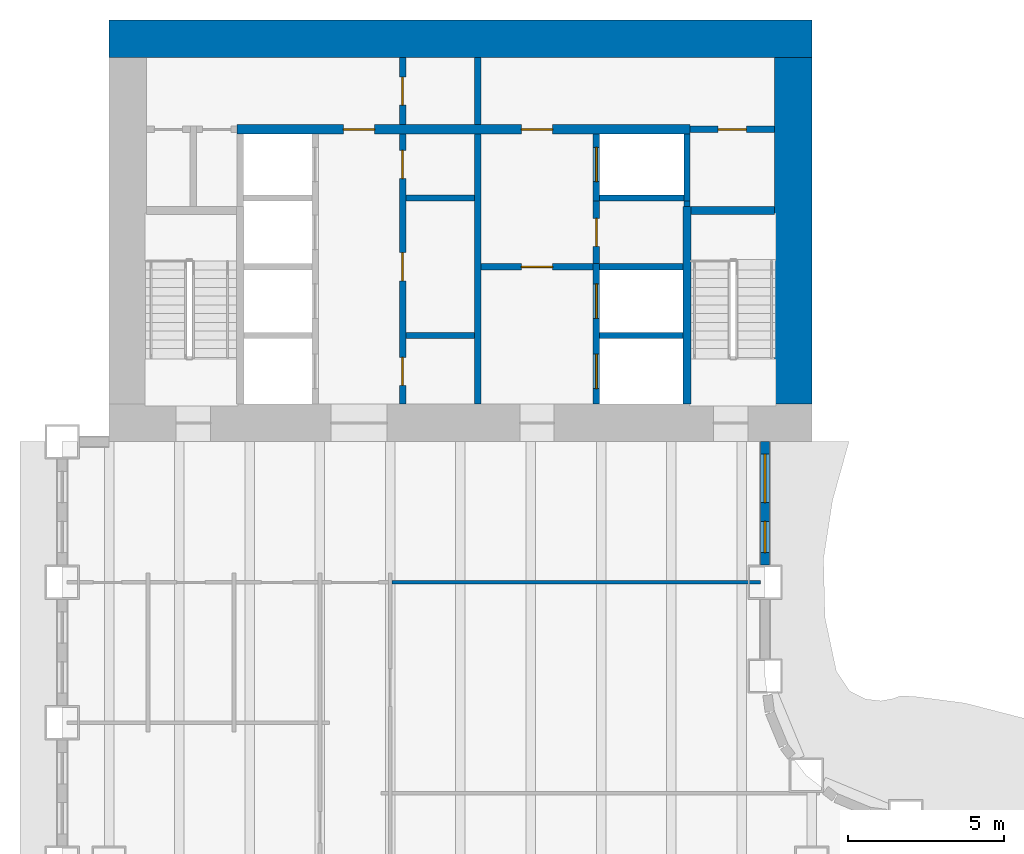
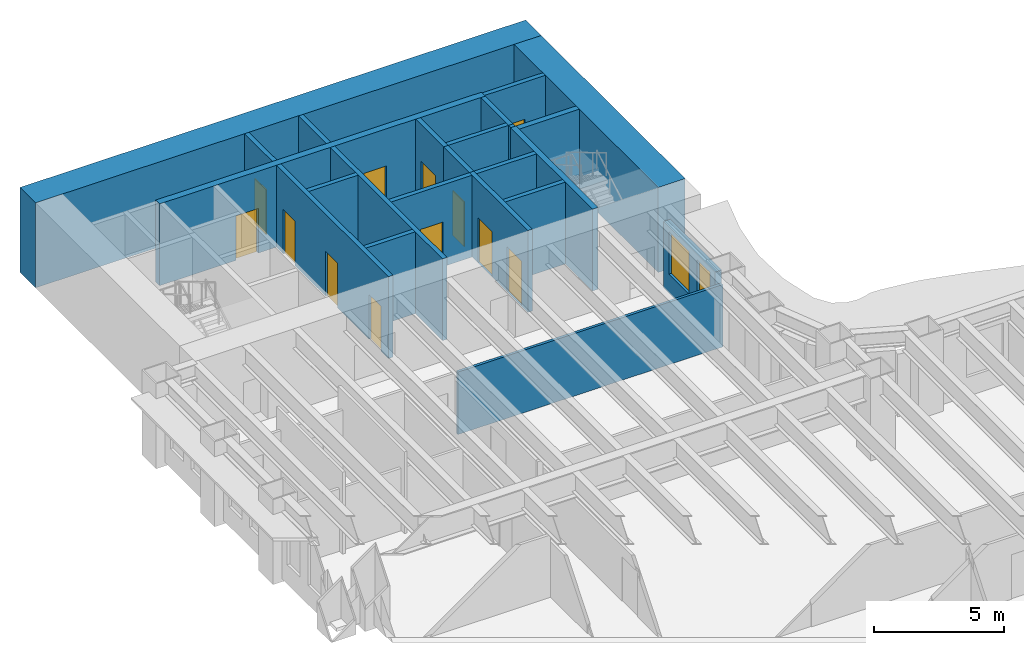
# One storey, part 8 of 16: 23 walls, 12 doors, 2 windows, 14 openings.
"""IFC4 building model written with IfcOpenShell, lengths in metres."""

from ifc_helpers import new_model, si_unit, direction, frame, frame_2d, origin, place, context, subcontext, project, spatial, rectangle, extrude, material, layer, layer_set, type_object, element, fill, save


model = new_model("IFC4")

# Units and contexts
model_context = context("Model", 3, precision=1e-05, world=origin(), true_north=direction((0.0, 1.0)))
body_context = subcontext(model_context, "Body", "Model", "MODEL_VIEW")
ifc_project = project(units=[si_unit("LENGTHUNIT", "METRE"), si_unit("AREAUNIT", "SQUARE_METRE"), si_unit("VOLUMEUNIT", "CUBIC_METRE"), si_unit("PLANEANGLEUNIT", "RADIAN"), si_unit("MASSUNIT", "GRAM", prefix="KILO")], contexts=[model_context])

# Site, building, storey
site_placement = place(None, origin())
site = spatial("IfcSite", under=ifc_project, at=site_placement, CompositionType="ELEMENT")
building_placement = place(site_placement, origin())
building = spatial("IfcBuilding", under=site, at=building_placement, Name="Sennacour Bend Tower", CompositionType="ELEMENT")
storey_placement = place(building_placement, frame((0.0, 0.0, 45.0)))
storey = spatial("IfcBuildingStorey", under=building, at=storey_placement, Name="L09", CompositionType="ELEMENT", Elevation=45.0)

# Walls
ifc_material_1 = material(Name="Concrete C80/95", Category="concrete")
ifc_layer_1 = layer(ifc_material_1, 1.199951171875, Name="Concrete C80/95", Category="concrete")
ifc_layer_set_1 = layer_set([ifc_layer_1], Name="Concrete C80/95")
wall_type_1 = type_object("IfcWallType", Name="Core wall 1200 C80/95", PredefinedType="SHEAR", material=ifc_layer_set_1)
wall_1_placement = place(storey_placement, frame((0.0, 48.89990234375, -0.14990234375), z_axis=(0.0, 0.0, 1.0), x_axis=(1.0, 0.0, 0.0)))
element("IfcWall", 1, at=wall_1_placement, inside=storey, type_object=wall_type_1, Name="Core B wall L09 N", PredefinedType="SHEAR", context=body_context, shape_type="SweptSolid", body=[
    extrude(rectangle(XDim=22.5, YDim=1.199951171875, at=frame_2d((11.25, 0.0))), origin(), (0.0, 0.0, 1.0), 4.0),
])
wall_2_placement = place(storey_placement, frame((21.89990234375, 37.199951171875, -0.14990234375), z_axis=(0.0, 0.0, 1.0), x_axis=(0.0, 1.0, 0.0)))
element("IfcWall", 2, at=wall_2_placement, inside=storey, type_object=wall_type_1, Name="Core B wall L09 E", PredefinedType="SHEAR", context=body_context, shape_type="SweptSolid", body=[
    extrude(rectangle(XDim=11.10009765625, YDim=1.199951171875, at=frame_2d((5.550048828125, 0.0))), origin(), (0.0, 0.0, 1.0), 4.0),
])
ifc_material_2 = material(Name="Plasterboard partition on steel studs", Category="steel")
ifc_layer_2 = layer(ifc_material_2, 0.1201171875, Name="Plasterboard partition on steel studs", Category="steel")
ifc_layer_set_2 = layer_set([ifc_layer_2], Name="Plasterboard partition on steel studs")
wall_type_2 = type_object("IfcWallType", Name="Partition 120", PredefinedType="PARTITIONING", material=ifc_layer_set_2)
wall_3_placement = place(storey_placement, frame((9.06005859375, 31.5, 0.0), z_axis=(0.0, 0.0, 1.0), x_axis=(1.0, 0.0, 0.0)))
element("IfcWall", 3, at=wall_3_placement, inside=storey, type_object=wall_type_2, Name="P-L09-W075ae", PredefinedType="PARTITIONING", context=body_context, shape_type="SweptSolid", body=[
    extrude(rectangle(XDim=11.7900390625, YDim=0.1201171875, at=frame_2d((5.89501953125, 0.0))), origin(), (0.0, 0.0, 1.0), 2.93798828125),
])

# Wall, openings, doors
ifc_material_3 = material(Name="Fire-rated plasterboard partition on steel studs", Category="steel")
ifc_layer_3 = layer(ifc_material_3, 0.199951171875, Name="Fire-rated plasterboard partition on steel studs", Category="steel")
ifc_layer_set_3 = layer_set([ifc_layer_3], Name="Fire-rated plasterboard partition on steel studs")
wall_type_3 = type_object("IfcWallType", Name="Rated partition 200", PredefinedType="PARTITIONING", material=ifc_layer_set_3)
wall_4_placement = place(storey_placement, frame((9.39990234375, 37.199951171875, 0.0), z_axis=(0.0, 0.0, 1.0), x_axis=(0.0, 1.0, 0.0)))
wall_4 = element("IfcWall", 4, at=wall_4_placement, inside=storey, type_object=wall_type_3, Name="P-L09-W013a", PredefinedType="PARTITIONING", context=body_context, shape_type="SweptSolid", body=[
    extrude(rectangle(XDim=8.650146484375, YDim=0.199951171875, at=frame_2d((4.3251953125, 0.0))), origin(), (0.0, 0.0, 1.0), 3.85009765625),
])
opening_1_placement = place(wall_4_placement, frame((0.60009765625, 0.0, 0.0)))
opening_1 = element("IfcOpeningElement", 5, at=opening_1_placement, cuts=wall_4, Name="Opening SV", PredefinedType="OPENING", context=body_context, shape_type="SweptSolid", body=[
    extrude(rectangle(XDim=0.89990234375, YDim=2.10009765625, at=frame_2d((0.449951171875, 1.050048828125))), frame((0.0, 0.10986328125, 0.0), z_axis=(0.0, -1.0, 0.0), x_axis=(1.0, 0.0, 0.0)), (0.0, 0.0, 1.0), 0.219970703125),
])
opening_2_placement = place(wall_4_placement, frame((3.949951171875, 0.0, 0.0)))
opening_2 = element("IfcOpeningElement", 6, at=opening_2_placement, cuts=wall_4, Name="Opening WD", PredefinedType="OPENING", context=body_context, shape_type="SweptSolid", body=[
    extrude(rectangle(XDim=0.89990234375, YDim=2.10009765625, at=frame_2d((0.449951171875, 1.050048828125))), frame((0.0, 0.10986328125, 0.0), z_axis=(0.0, -1.0, 0.0), x_axis=(1.0, 0.0, 0.0)), (0.0, 0.0, 1.0), 0.219970703125),
])
opening_3_placement = place(wall_4_placement, frame((7.22509765625, 0.0, 0.0)))
opening_3 = element("IfcOpeningElement", 7, at=opening_3_placement, cuts=wall_4, Name="Opening SV", PredefinedType="OPENING", context=body_context, shape_type="SweptSolid", body=[
    extrude(rectangle(XDim=0.89990234375, YDim=2.10009765625, at=frame_2d((0.449951171875, 1.050048828125))), frame((0.0, 0.10986328125, 0.0), z_axis=(0.0, -1.0, 0.0), x_axis=(1.0, 0.0, 0.0)), (0.0, 0.0, 1.0), 0.219970703125),
])
ifc_material_4 = material(Name="Painted steel", Category="steel")
door_type_1 = type_object("IfcDoorType", Name="DR-SERVICE-900", OperationType="NOTDEFINED", PredefinedType="DOOR", material=ifc_material_4)
door_1_placement = place(opening_1_placement, origin())
door_1 = element("IfcDoor", 8, at=door_1_placement, inside=storey, type_object=door_type_1, Name="Door", OperationType="SINGLE_SWING_LEFT", OverallHeight=2.10009765625, OverallWidth=0.89990234375, PredefinedType="DOOR", context=body_context, shape_type="SweptSolid", body=[
    extrude(rectangle(XDim=0.89990234375, YDim=2.10009765625, at=frame_2d((0.449951171875, 1.050048828125))), frame((0.0, 0.02490234375, 0.0), z_axis=(0.0, -1.0, 0.0), x_axis=(1.0, 0.0, 0.0)), (0.0, 0.0, 1.0), 0.050048828125),
])
fill(opening_1, door_1)
door_2_placement = place(opening_3_placement, origin())
door_2 = element("IfcDoor", 9, at=door_2_placement, inside=storey, type_object=door_type_1, Name="Door", OperationType="SINGLE_SWING_RIGHT", OverallHeight=2.10009765625, OverallWidth=0.89990234375, PredefinedType="DOOR", context=body_context, shape_type="SweptSolid", body=[
    extrude(rectangle(XDim=0.89990234375, YDim=2.10009765625, at=frame_2d((0.449951171875, 1.050048828125))), frame((0.0, 0.02490234375, 0.0), z_axis=(0.0, -1.0, 0.0), x_axis=(1.0, 0.0, 0.0)), (0.0, 0.0, 1.0), 0.050048828125),
])
fill(opening_3, door_2)
ifc_material_5 = material(Name="Timber", Category="wood")
door_type_2 = type_object("IfcDoorType", Name="DR-WC-900", OperationType="NOTDEFINED", PredefinedType="DOOR", material=ifc_material_5)
door_3_placement = place(opening_2_placement, origin())
door_3 = element("IfcDoor", 10, at=door_3_placement, inside=storey, type_object=door_type_2, Name="Door", OperationType="SINGLE_SWING_RIGHT", OverallHeight=2.10009765625, OverallWidth=0.89990234375, PredefinedType="DOOR", context=body_context, shape_type="SweptSolid", body=[
    extrude(rectangle(XDim=0.89990234375, YDim=2.10009765625, at=frame_2d((0.449951171875, 1.050048828125))), frame((0.0, 0.02490234375, 0.0), z_axis=(0.0, -1.0, 0.0), x_axis=(1.0, 0.0, 0.0)), (0.0, 0.0, 1.0), 0.050048828125),
])
fill(opening_2, door_3)

# Wall, opening, door
wall_5_placement = place(storey_placement, frame((9.39990234375, 46.14990234375, 0.0), z_axis=(0.0, 0.0, 1.0), x_axis=(0.0, 1.0, 0.0)))
wall_5 = element("IfcWall", 11, at=wall_5_placement, inside=storey, type_object=wall_type_3, Name="P-L09-W013b", PredefinedType="PARTITIONING", context=body_context, shape_type="SweptSolid", body=[
    extrude(rectangle(XDim=2.150146484375, YDim=0.199951171875, at=frame_2d((1.0751953125, 0.0))), origin(), (0.0, 0.0, 1.0), 3.85009765625),
])
opening_4_placement = place(wall_5_placement, frame((0.625, 0.0, 0.0)))
opening_4 = element("IfcOpeningElement", 12, at=opening_4_placement, cuts=wall_5, Name="Opening SV", PredefinedType="OPENING", context=body_context, shape_type="SweptSolid", body=[
    extrude(rectangle(XDim=0.89990234375, YDim=2.10009765625, at=frame_2d((0.449951171875, 1.050048828125))), frame((0.0, 0.10986328125, 0.0), z_axis=(0.0, -1.0, 0.0), x_axis=(1.0, 0.0, 0.0)), (0.0, 0.0, 1.0), 0.219970703125),
])
door_4_placement = place(opening_4_placement, origin())
door_4 = element("IfcDoor", 13, at=door_4_placement, inside=storey, type_object=door_type_1, Name="Door", OperationType="SINGLE_SWING_LEFT", OverallHeight=2.10009765625, OverallWidth=0.89990234375, PredefinedType="DOOR", context=body_context, shape_type="SweptSolid", body=[
    extrude(rectangle(XDim=0.89990234375, YDim=2.10009765625, at=frame_2d((0.449951171875, 1.050048828125))), frame((0.0, 0.02490234375, 0.0), z_axis=(0.0, -1.0, 0.0), x_axis=(1.0, 0.0, 0.0)), (0.0, 0.0, 1.0), 0.050048828125),
])
fill(opening_4, door_4)

# Walls
wall_6_placement = place(storey_placement, frame((11.800048828125, 37.199951171875, 0.0), z_axis=(0.0, 0.0, 1.0), x_axis=(0.0, 1.0, 0.0)))
element("IfcWall", 14, at=wall_6_placement, inside=storey, type_object=wall_type_3, Name="P-L09-W015a", PredefinedType="PARTITIONING", context=body_context, shape_type="SweptSolid", body=[
    extrude(rectangle(XDim=8.650146484375, YDim=0.199951171875, at=frame_2d((4.3251953125, 0.0))), origin(), (0.0, 0.0, 1.0), 3.85009765625),
])
wall_7_placement = place(storey_placement, frame((11.800048828125, 46.14990234375, 0.0), z_axis=(0.0, 0.0, 1.0), x_axis=(0.0, 1.0, 0.0)))
element("IfcWall", 15, at=wall_7_placement, inside=storey, type_object=wall_type_3, Name="P-L09-W015b", PredefinedType="PARTITIONING", context=body_context, shape_type="SweptSolid", body=[
    extrude(rectangle(XDim=2.150146484375, YDim=0.199951171875, at=frame_2d((1.0751953125, 0.0))), origin(), (0.0, 0.0, 1.0), 3.85009765625),
])

# Wall, opening, door
wall_8_placement = place(storey_placement, frame((15.60009765625, 41.699951171875, 0.0), z_axis=(0.0, 0.0, 1.0), x_axis=(0.0, 1.0, 0.0)))
wall_8 = element("IfcWall", 16, at=wall_8_placement, inside=storey, type_object=wall_type_3, Name="P-L09-W017", PredefinedType="PARTITIONING", context=body_context, shape_type="SweptSolid", body=[
    extrude(rectangle(XDim=2.0, YDim=0.199951171875, at=frame_2d((1.0, 0.0))), origin(), (0.0, 0.0, 1.0), 3.85009765625),
])
opening_5_placement = place(wall_8_placement, frame((0.550048828125, 0.0, 0.0)))
opening_5 = element("IfcOpeningElement", 17, at=opening_5_placement, cuts=wall_8, Name="Opening SV", PredefinedType="OPENING", context=body_context, shape_type="SweptSolid", body=[
    extrude(rectangle(XDim=0.89990234375, YDim=2.10009765625, at=frame_2d((0.449951171875, 1.050048828125))), frame((0.0, 0.10986328125, 0.0), z_axis=(0.0, -1.0, 0.0), x_axis=(1.0, 0.0, 0.0)), (0.0, 0.0, 1.0), 0.219970703125),
])
door_5_placement = place(opening_5_placement, origin())
door_5 = element("IfcDoor", 18, at=door_5_placement, inside=storey, type_object=door_type_1, Name="Door", OperationType="SINGLE_SWING_RIGHT", OverallHeight=2.10009765625, OverallWidth=0.89990234375, PredefinedType="DOOR", context=body_context, shape_type="SweptSolid", body=[
    extrude(rectangle(XDim=0.89990234375, YDim=2.10009765625, at=frame_2d((0.449951171875, 1.050048828125))), frame((0.0, 0.02490234375, 0.0), z_axis=(0.0, -1.0, 0.0), x_axis=(1.0, 0.0, 0.0)), (0.0, 0.0, 1.0), 0.050048828125),
])
fill(opening_5, door_5)

# Walls
wall_9_placement = place(storey_placement, frame((18.5, 43.52490234375, 0.0), z_axis=(0.0, 0.0, 1.0), x_axis=(0.0, 1.0, 0.0)))
element("IfcWall", 19, at=wall_9_placement, inside=storey, type_object=wall_type_3, Name="P-L09-W021", PredefinedType="PARTITIONING", context=body_context, shape_type="SweptSolid", body=[
    extrude(rectangle(XDim=0.175048828125, YDim=0.199951171875, at=frame_2d((0.08740234375, 0.0))), origin(), (0.0, 0.0, 1.0), 3.85009765625),
])
for number, where, z_axis, x_axis, name in (
    (20, (9.5, 39.39990234375, 0.0), (0.0, 0.0, 1.0), (1.0, 0.0, 0.0), "P-L09-W078"),
    (21, (9.5, 43.800048828125, 0.0), (0.0, 0.0, 1.0), (1.0, 0.0, 0.0), "P-L09-W086"),
):
    element("IfcWall", number, at=place(storey_placement, frame(where, z_axis=z_axis, x_axis=x_axis)), inside=storey, type_object=wall_type_3, Name=name, PredefinedType="PARTITIONING", context=body_context, shape_type="SweptSolid", body=[
        extrude(rectangle(XDim=2.199951171875, YDim=0.199951171875, at=frame_2d((1.10009765625, 0.0))), origin(), (0.0, 0.0, 1.0), 3.85009765625),
    ])

# Wall, opening, door
wall_10_placement = place(storey_placement, frame((18.60009765625, 46.0, 0.0), z_axis=(0.0, 0.0, 1.0), x_axis=(1.0, 0.0, 0.0)))
wall_10 = element("IfcWall", 22, at=wall_10_placement, inside=storey, type_object=wall_type_3, Name="P-L09-W090", PredefinedType="PARTITIONING", context=body_context, shape_type="SweptSolid", body=[
    extrude(rectangle(XDim=2.699951171875, YDim=0.199951171875, at=frame_2d((1.35009765625, 0.0))), origin(), (0.0, 0.0, 1.0), 3.85009765625),
])
opening_6_placement = place(wall_10_placement, frame((0.89990234375, 0.0, 0.0)))
opening_6 = element("IfcOpeningElement", 23, at=opening_6_placement, cuts=wall_10, Name="Opening WD", PredefinedType="OPENING", context=body_context, shape_type="SweptSolid", body=[
    extrude(rectangle(XDim=0.89990234375, YDim=2.10009765625, at=frame_2d((0.449951171875, 1.050048828125))), frame((0.0, 0.10986328125, 0.0), z_axis=(0.0, -1.0, 0.0), x_axis=(1.0, 0.0, 0.0)), (0.0, 0.0, 1.0), 0.219970703125),
])
door_6_placement = place(opening_6_placement, origin())
door_6 = element("IfcDoor", 24, at=door_6_placement, inside=storey, type_object=door_type_2, Name="Door", OperationType="SINGLE_SWING_LEFT", OverallHeight=2.10009765625, OverallWidth=0.89990234375, PredefinedType="DOOR", context=body_context, shape_type="SweptSolid", body=[
    extrude(rectangle(XDim=0.89990234375, YDim=2.10009765625, at=frame_2d((0.449951171875, 1.050048828125))), frame((0.0, 0.02490234375, 0.0), z_axis=(0.0, -1.0, 0.0), x_axis=(1.0, 0.0, 0.0)), (0.0, 0.0, 1.0), 0.050048828125),
])
fill(opening_6, door_6)

ifc_layer_4 = layer(ifc_material_3, 0.199951171875, Name="Fire-rated plasterboard partition on steel studs", Category="steel")
ifc_layer_set_4 = layer_set([ifc_layer_4], Name="Fire-rated plasterboard partition on steel studs")
wall_type_4 = type_object("IfcWallType", Name="Rated partition 200 EI 90", PredefinedType="PARTITIONING", material=ifc_layer_set_4)
wall_11_placement = place(storey_placement, frame((11.89990234375, 41.60009765625, 0.0), z_axis=(0.0, 0.0, 1.0), x_axis=(1.0, 0.0, 0.0)))
wall_11 = element("IfcWall", 25, at=wall_11_placement, inside=storey, type_object=wall_type_4, Name="P-L09-W081", PredefinedType="PARTITIONING", context=body_context, shape_type="SweptSolid", body=[
    extrude(rectangle(XDim=3.60009765625, YDim=0.199951171875, at=frame_2d((1.800048828125, 0.0))), origin(), (0.0, 0.0, 1.0), 3.85009765625),
])
opening_7_placement = place(wall_11_placement, frame((1.300048828125, 0.0, 0.0)))
opening_7 = element("IfcOpeningElement", 26, at=opening_7_placement, cuts=wall_11, Name="Opening FD2", PredefinedType="OPENING", context=body_context, shape_type="SweptSolid", body=[
    extrude(rectangle(XDim=1.0, YDim=2.10009765625, at=frame_2d((0.5, 1.050048828125))), frame((0.0, 0.10986328125, 0.0), z_axis=(0.0, -1.0, 0.0), x_axis=(1.0, 0.0, 0.0)), (0.0, 0.0, 1.0), 0.219970703125),
])
door_type_3 = type_object("IfcDoorType", Name="DR-FFL-1000", OperationType="NOTDEFINED", PredefinedType="DOOR", material=ifc_material_4)
door_7_placement = place(opening_7_placement, origin())
door_7 = element("IfcDoor", 27, at=door_7_placement, inside=storey, type_object=door_type_3, Name="Door", OperationType="SINGLE_SWING_LEFT", OverallHeight=2.10009765625, OverallWidth=1.0, PredefinedType="DOOR", context=body_context, shape_type="SweptSolid", body=[
    extrude(rectangle(XDim=1.0, YDim=2.10009765625, at=frame_2d((0.5, 1.050048828125))), frame((0.0, 0.02490234375, 0.0), z_axis=(0.0, -1.0, 0.0), x_axis=(1.0, 0.0, 0.0)), (0.0, 0.0, 1.0), 0.050048828125),
])
fill(opening_7, door_7)

# Wall, openings, windows
ifc_material_6 = material(Name="Warm limestone cladding", Category="masonry")
ifc_layer_5 = layer(ifc_material_6, 0.050048828125, Name="Warm limestone cladding", Category="masonry")
ifc_material_7 = material(Name="Precast concrete C40/50", Category="concrete")
ifc_layer_6 = layer(ifc_material_7, 0.25, Name="Precast concrete C40/50", Category="concrete")
ifc_layer_set_5 = layer_set([ifc_layer_5, ifc_layer_6], Name="Precast concrete C40/50 with limestone cladding")
wall_type_5 = type_object("IfcWallType", Name="STONE-CLAD PRECAST SPANDREL 300", PredefinedType="STANDARD", material=ifc_layer_set_5)
wall_12_placement = place(storey_placement, frame((21.0, 32.050048828125, 0.0), z_axis=(0.0, 0.0, 1.0), x_axis=(0.0, 1.0, 0.0)))
wall_12 = element("IfcWall", 28, at=wall_12_placement, inside=storey, type_object=wall_type_5, Name="Stone spandrel and pier wall L09 15.01", PredefinedType="STANDARD", context=body_context, shape_type="SweptSolid", body=[
    extrude(rectangle(XDim=3.949951171875, YDim=0.300048828125, at=frame_2d((1.97509765625, 0.0))), origin(), (0.0, 0.0, 1.0), 3.14404296875),
])
opening_8_placement = place(wall_12_placement, frame((0.39990234375, 0.0, 0.89990234375)))
opening_8 = element("IfcOpeningElement", 29, at=opening_8_placement, cuts=wall_12, Name="Opening W8", PredefinedType="OPENING", context=body_context, shape_type="SweptSolid", body=[
    extrude(rectangle(XDim=1.0, YDim=2.0, at=frame_2d((0.5, 1.0))), frame((0.0, 0.16015625, 0.0), z_axis=(0.0, -1.0, 0.0), x_axis=(1.0, 0.0, 0.0)), (0.0, 0.0, 1.0), 0.320068359375),
])
opening_9_placement = place(wall_12_placement, frame((2.0, 0.0, 0.89990234375)))
opening_9 = element("IfcOpeningElement", 30, at=opening_9_placement, cuts=wall_12, Name="Opening W9", PredefinedType="OPENING", context=body_context, shape_type="SweptSolid", body=[
    extrude(rectangle(XDim=1.550048828125, YDim=2.0, at=frame_2d((0.77490234375, 1.0))), frame((0.0, 0.16015625, 0.0), z_axis=(0.0, -1.0, 0.0), x_axis=(1.0, 0.0, 0.0)), (0.0, 0.0, 1.0), 0.320068359375),
])
ifc_material_8 = material(Name="Clear low-emissivity glass", Category="glass")
window_type_1 = type_object("IfcWindowType", Name="WIN-RIBBON-1000x2000", PartitioningType="SINGLE_PANEL", PredefinedType="WINDOW", material=ifc_material_8)
window_1_placement = place(opening_8_placement, origin())
window_1 = element("IfcWindow", 31, at=window_1_placement, inside=storey, type_object=window_type_1, Name="Ribbon window L09 15.01.0", OverallHeight=2.0, OverallWidth=1.0, PartitioningType="SINGLE_PANEL", PredefinedType="WINDOW", context=body_context, shape_type="SweptSolid", body=[
    extrude(rectangle(XDim=1.0, YDim=2.0, at=frame_2d((0.5, 1.0))), frame((0.0, 0.030029296875, 0.0), z_axis=(0.0, -1.0, 0.0), x_axis=(1.0, 0.0, 0.0)), (0.0, 0.0, 1.0), 0.06005859375),
])
fill(opening_8, window_1)
window_type_2 = type_object("IfcWindowType", Name="WIN-RIBBON-1550x2000", PartitioningType="SINGLE_PANEL", PredefinedType="WINDOW", material=ifc_material_8)
window_2_placement = place(opening_9_placement, origin())
window_2 = element("IfcWindow", 32, at=window_2_placement, inside=storey, type_object=window_type_2, Name="Ribbon window L09 15.01.1", OverallHeight=2.0, OverallWidth=1.550048828125, PartitioningType="SINGLE_PANEL", PredefinedType="WINDOW", context=body_context, shape_type="SweptSolid", body=[
    extrude(rectangle(XDim=1.550048828125, YDim=2.0, at=frame_2d((0.77490234375, 1.0))), frame((0.0, 0.030029296875, 0.0), z_axis=(0.0, -1.0, 0.0), x_axis=(1.0, 0.0, 0.0)), (0.0, 0.0, 1.0), 0.06005859375),
])
fill(opening_9, window_2)

# Wall, openings, doors
ifc_material_9 = material(Name="Concrete C50/60", Category="concrete")
ifc_layer_7 = layer(ifc_material_9, 0.199951171875, Name="Concrete C50/60", Category="concrete")
ifc_layer_set_6 = layer_set([ifc_layer_7], Name="Concrete C50/60")
wall_type_6 = type_object("IfcWallType", Name="Shaft wall 200", PredefinedType="SOLIDWALL", material=ifc_layer_set_6)
wall_13_placement = place(storey_placement, frame((15.60009765625, 37.199951171875, 0.0), z_axis=(0.0, 0.0, 1.0), x_axis=(0.0, 1.0, 0.0)))
wall_13 = element("IfcWall", 33, at=wall_13_placement, inside=storey, type_object=wall_type_6, Name="P-L09-W016", PredefinedType="SOLIDWALL", context=body_context, shape_type="SweptSolid", body=[
    extrude(rectangle(XDim=4.5, YDim=0.199951171875, at=frame_2d((2.25, 0.0))), origin(), (0.0, 0.0, 1.0), 3.85009765625),
])
opening_10_placement = place(wall_13_placement, frame((0.5, 0.0, 0.011962890625)))
opening_10 = element("IfcOpeningElement", 34, at=opening_10_placement, cuts=wall_13, Name="Opening FLD", PredefinedType="OPENING", context=body_context, shape_type="SweptSolid", body=[
    extrude(rectangle(XDim=1.10009765625, YDim=2.10009765625, at=frame_2d((0.550048828125, 1.050048828125))), frame((0.0, 0.10986328125, 0.0), z_axis=(0.0, -1.0, 0.0), x_axis=(1.0, 0.0, 0.0)), (0.0, 0.0, 1.0), 0.219970703125),
])
opening_11_placement = place(wall_13_placement, frame((2.75, 0.0, 0.011962890625)))
opening_11 = element("IfcOpeningElement", 35, at=opening_11_placement, cuts=wall_13, Name="Opening FLD", PredefinedType="OPENING", context=body_context, shape_type="SweptSolid", body=[
    extrude(rectangle(XDim=1.10009765625, YDim=2.10009765625, at=frame_2d((0.550048828125, 1.050048828125))), frame((0.0, 0.10986328125, 0.0), z_axis=(0.0, -1.0, 0.0), x_axis=(1.0, 0.0, 0.0)), (0.0, 0.0, 1.0), 0.219970703125),
])
ifc_material_10 = material(Name="Stainless steel", Category="steel")
door_type_4 = type_object("IfcDoorType", Name="DR-FF-LANDING-1100", OperationType="NOTDEFINED", PredefinedType="DOOR", material=ifc_material_10)
door_8_placement = place(opening_10_placement, origin())
door_8 = element("IfcDoor", 36, at=door_8_placement, inside=storey, type_object=door_type_4, Name="Fire service lift landing door FB1", OperationType="SLIDING_TO_LEFT", OverallHeight=2.10009765625, OverallWidth=1.10009765625, PredefinedType="DOOR", context=body_context, shape_type="SweptSolid", body=[
    extrude(rectangle(XDim=1.10009765625, YDim=2.10009765625, at=frame_2d((0.550048828125, 1.050048828125))), frame((0.0, 0.02490234375, 0.0), z_axis=(0.0, -1.0, 0.0), x_axis=(1.0, 0.0, 0.0)), (0.0, 0.0, 1.0), 0.050048828125),
])
fill(opening_10, door_8)
door_9_placement = place(opening_11_placement, origin())
door_9 = element("IfcDoor", 37, at=door_9_placement, inside=storey, type_object=door_type_4, Name="Fire service lift landing door FB2", OperationType="SLIDING_TO_RIGHT", OverallHeight=2.10009765625, OverallWidth=1.10009765625, PredefinedType="DOOR", context=body_context, shape_type="SweptSolid", body=[
    extrude(rectangle(XDim=1.10009765625, YDim=2.10009765625, at=frame_2d((0.550048828125, 1.050048828125))), frame((0.0, 0.02490234375, 0.0), z_axis=(0.0, -1.0, 0.0), x_axis=(1.0, 0.0, 0.0)), (0.0, 0.0, 1.0), 0.050048828125),
])
fill(opening_11, door_9)

# Wall, opening, door
wall_14_placement = place(storey_placement, frame((15.60009765625, 43.699951171875, 0.0), z_axis=(0.0, 0.0, 1.0), x_axis=(0.0, 1.0, 0.0)))
wall_14 = element("IfcWall", 38, at=wall_14_placement, inside=storey, type_object=wall_type_6, Name="P-L09-W018", PredefinedType="SOLIDWALL", context=body_context, shape_type="SweptSolid", body=[
    extrude(rectangle(XDim=2.150146484375, YDim=0.199951171875, at=frame_2d((1.0751953125, 0.0))), origin(), (0.0, 0.0, 1.0), 3.85009765625),
])
opening_12_placement = place(wall_14_placement, frame((0.625, 0.0, 0.011962890625)))
opening_12 = element("IfcOpeningElement", 39, at=opening_12_placement, cuts=wall_14, Name="Opening LD", PredefinedType="OPENING", context=body_context, shape_type="SweptSolid", body=[
    extrude(rectangle(XDim=1.10009765625, YDim=2.10009765625, at=frame_2d((0.550048828125, 1.050048828125))), frame((0.0, 0.10986328125, 0.0), z_axis=(0.0, -1.0, 0.0), x_axis=(1.0, 0.0, 0.0)), (0.0, 0.0, 1.0), 0.219970703125),
])
door_type_5 = type_object("IfcDoorType", Name="DR-LANDING-1100", OperationType="NOTDEFINED", PredefinedType="DOOR", material=ifc_material_10)
door_10_placement = place(opening_12_placement, origin())
door_10 = element("IfcDoor", 40, at=door_10_placement, inside=storey, type_object=door_type_5, Name="Lift landing door LB5", OperationType="SLIDING_TO_LEFT", OverallHeight=2.10009765625, OverallWidth=1.10009765625, PredefinedType="DOOR", context=body_context, shape_type="SweptSolid", body=[
    extrude(rectangle(XDim=1.10009765625, YDim=2.10009765625, at=frame_2d((0.550048828125, 1.050048828125))), frame((0.0, 0.02490234375, 0.0), z_axis=(0.0, -1.0, 0.0), x_axis=(1.0, 0.0, 0.0)), (0.0, 0.0, 1.0), 0.050048828125),
])
fill(opening_12, door_10)

# Walls
wall_15_placement = place(storey_placement, frame((18.5, 43.699951171875, 0.0), z_axis=(0.0, 0.0, 1.0), x_axis=(0.0, 1.0, 0.0)))
element("IfcWall", 41, at=wall_15_placement, inside=storey, type_object=wall_type_6, Name="P-L09-W022", PredefinedType="SOLIDWALL", context=body_context, shape_type="SweptSolid", body=[
    extrude(rectangle(XDim=2.150146484375, YDim=0.199951171875, at=frame_2d((1.0751953125, 0.0))), origin(), (0.0, 0.0, 1.0), 3.85009765625),
])
for number, where, z_axis, x_axis, name in (
    (42, (15.699951171875, 39.39990234375, 0.0), (0.0, 0.0, 1.0), (1.0, 0.0, 0.0), "P-L09-W079"),
    (43, (15.699951171875, 41.60009765625, 0.0), (0.0, 0.0, 1.0), (1.0, 0.0, 0.0), "P-L09-W082"),
):
    element("IfcWall", number, at=place(storey_placement, frame(where, z_axis=z_axis, x_axis=x_axis)), inside=storey, type_object=wall_type_6, Name=name, PredefinedType="SOLIDWALL", context=body_context, shape_type="SweptSolid", body=[
        extrude(rectangle(XDim=2.675048828125, YDim=0.199951171875, at=frame_2d((1.33740234375, 0.0))), origin(), (0.0, 0.0, 1.0), 3.85009765625),
    ])
wall_16_placement = place(storey_placement, frame((15.699951171875, 43.800048828125, 0.0), z_axis=(0.0, 0.0, 1.0), x_axis=(1.0, 0.0, 0.0)))
element("IfcWall", 44, at=wall_16_placement, inside=storey, type_object=wall_type_6, Name="P-L09-W087", PredefinedType="SOLIDWALL", context=body_context, shape_type="SweptSolid", body=[
    extrude(rectangle(XDim=2.699951171875, YDim=0.199951171875, at=frame_2d((1.35009765625, 0.0))), origin(), (0.0, 0.0, 1.0), 3.85009765625),
])

# Wall, openings, doors
ifc_material_11 = material(Name="Concrete C60/75", Category="concrete")
ifc_layer_8 = layer(ifc_material_11, 0.300048828125, Name="Concrete C60/75", Category="concrete")
ifc_layer_set_7 = layer_set([ifc_layer_8], Name="Concrete C60/75")
wall_type_7 = type_object("IfcWallType", Name="Spine wall 300", PredefinedType="SHEAR", material=ifc_layer_set_7)
wall_17_placement = place(storey_placement, frame((4.10009765625, 46.0, 0.0), z_axis=(0.0, 0.0, 1.0), x_axis=(1.0, 0.0, 0.0)))
wall_17 = element("IfcWall", 45, at=wall_17_placement, inside=storey, type_object=wall_type_7, Name="P-L09-W089", PredefinedType="SHEAR", context=body_context, shape_type="SweptSolid", body=[
    extrude(rectangle(XDim=14.5, YDim=0.300048828125, at=frame_2d((7.25, 0.0))), origin(), (0.0, 0.0, 1.0), 3.85009765625),
])
opening_13_placement = place(wall_17_placement, frame((3.39990234375, 0.0, 0.0)))
opening_13 = element("IfcOpeningElement", 46, at=opening_13_placement, cuts=wall_17, Name="Opening CD2", PredefinedType="OPENING", context=body_context, shape_type="SweptSolid", body=[
    extrude(rectangle(XDim=1.0, YDim=2.10009765625, at=frame_2d((0.5, 1.050048828125))), frame((0.0, 0.16015625, 0.0), z_axis=(0.0, -1.0, 0.0), x_axis=(1.0, 0.0, 0.0)), (0.0, 0.0, 1.0), 0.320068359375),
])
opening_14_placement = place(wall_17_placement, frame((9.099853515625, 0.0, 0.0)))
opening_14 = element("IfcOpeningElement", 47, at=opening_14_placement, cuts=wall_17, Name="Opening CD2", PredefinedType="OPENING", context=body_context, shape_type="SweptSolid", body=[
    extrude(rectangle(XDim=1.0, YDim=2.10009765625, at=frame_2d((0.5, 1.050048828125))), frame((0.0, 0.16015625, 0.0), z_axis=(0.0, -1.0, 0.0), x_axis=(1.0, 0.0, 0.0)), (0.0, 0.0, 1.0), 0.320068359375),
])
door_type_6 = type_object("IfcDoorType", Name="DR-LOBBY-1000", OperationType="NOTDEFINED", PredefinedType="DOOR", material=ifc_material_4)
door_11_placement = place(opening_13_placement, origin())
door_11 = element("IfcDoor", 48, at=door_11_placement, inside=storey, type_object=door_type_6, Name="Door", OperationType="SINGLE_SWING_LEFT", OverallHeight=2.10009765625, OverallWidth=1.0, PredefinedType="DOOR", context=body_context, shape_type="SweptSolid", body=[
    extrude(rectangle(XDim=1.0, YDim=2.10009765625, at=frame_2d((0.5, 1.050048828125))), frame((0.0, 0.02490234375, 0.0), z_axis=(0.0, -1.0, 0.0), x_axis=(1.0, 0.0, 0.0)), (0.0, 0.0, 1.0), 0.050048828125),
])
fill(opening_13, door_11)
door_12_placement = place(opening_14_placement, origin())
door_12 = element("IfcDoor", 49, at=door_12_placement, inside=storey, type_object=door_type_6, Name="Door", OperationType="SINGLE_SWING_RIGHT", OverallHeight=2.10009765625, OverallWidth=1.0, PredefinedType="DOOR", context=body_context, shape_type="SweptSolid", body=[
    extrude(rectangle(XDim=1.0, YDim=2.10009765625, at=frame_2d((0.5, 1.050048828125))), frame((0.0, 0.02490234375, 0.0), z_axis=(0.0, -1.0, 0.0), x_axis=(1.0, 0.0, 0.0)), (0.0, 0.0, 1.0), 0.050048828125),
])
fill(opening_14, door_12)

# Walls
ifc_layer_9 = layer(ifc_material_11, 0.25, Name="Concrete C60/75", Category="concrete")
ifc_layer_set_8 = layer_set([ifc_layer_9], Name="Concrete C60/75")
wall_type_8 = type_object("IfcWallType", Name="Stair wall 250", PredefinedType="SHEAR", material=ifc_layer_set_8)
wall_18_placement = place(storey_placement, frame((18.5, 37.199951171875, 0.0), z_axis=(0.0, 0.0, 1.0), x_axis=(0.0, 1.0, 0.0)))
element("IfcWall", 50, at=wall_18_placement, inside=storey, type_object=wall_type_8, Name="P-L09-W020", PredefinedType="SHEAR", context=body_context, shape_type="SweptSolid", body=[
    extrude(rectangle(XDim=6.324951171875, YDim=0.25, at=frame_2d((3.16259765625, 0.0))), origin(), (0.0, 0.0, 1.0), 3.85009765625),
])
wall_19_placement = place(storey_placement, frame((18.625, 43.39990234375, 0.0), z_axis=(0.0, 0.0, 1.0), x_axis=(1.0, 0.0, 0.0)))
element("IfcWall", 51, at=wall_19_placement, inside=storey, type_object=wall_type_8, Name="P-L09-W084", PredefinedType="SHEAR", context=body_context, shape_type="SweptSolid", body=[
    extrude(rectangle(XDim=2.675048828125, YDim=0.25, at=frame_2d((1.33740234375, 0.0))), origin(), (0.0, 0.0, 1.0), 3.85009765625),
])

save(model, "model.ifc")
